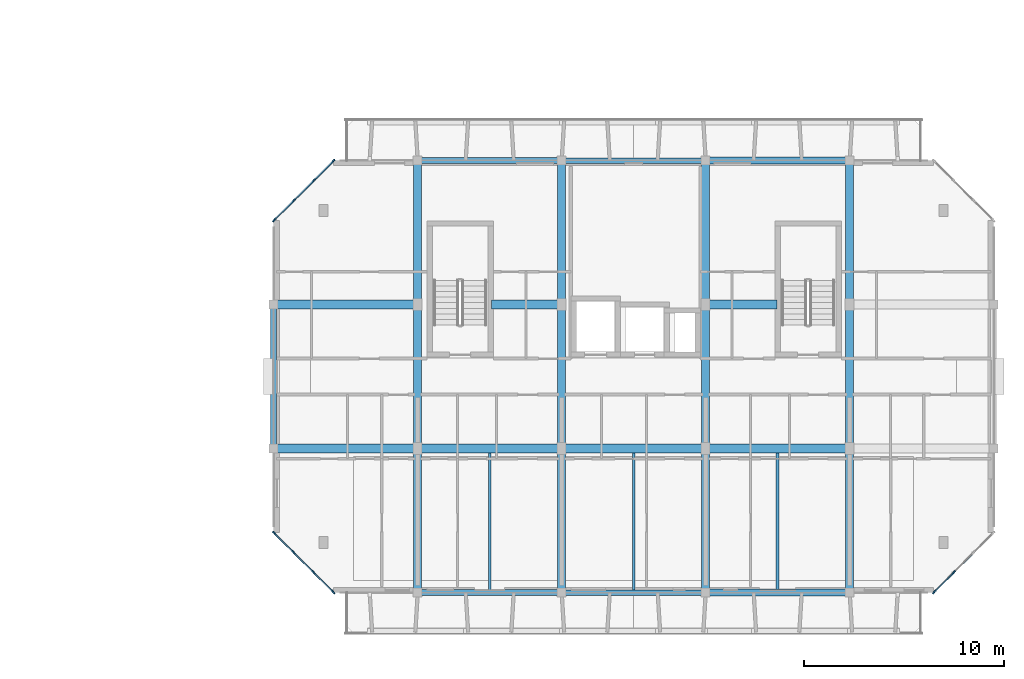
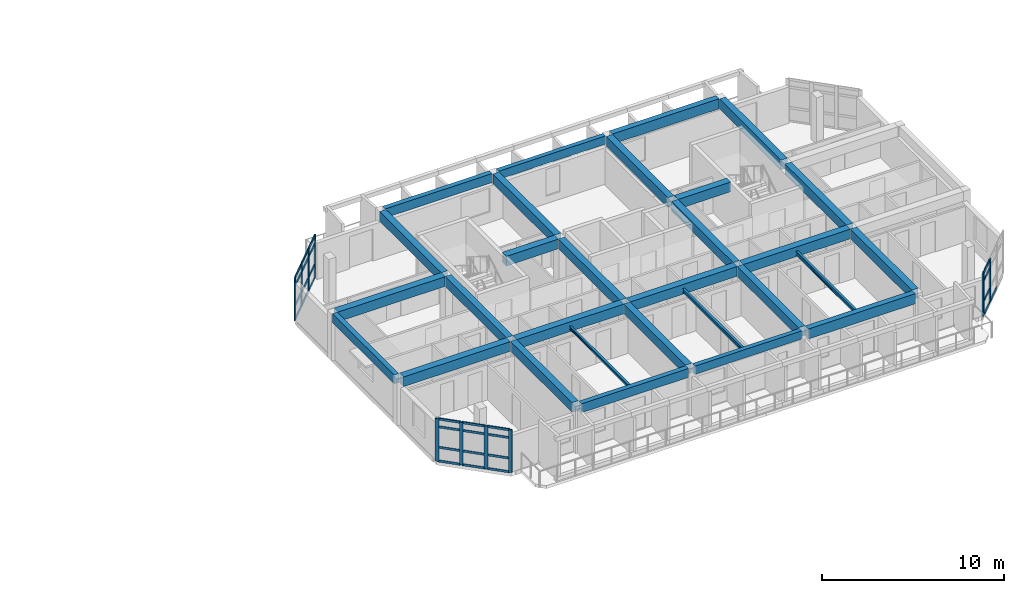
# One storey, part 5 of 30: 39 members, 29 beams, 3 elements without a shape of their own.
"""IFC4 building model written with IfcOpenShell, lengths in metres."""

from ifc_helpers import new_model, si_unit, direction, frame, origin, origin_2d, place, context, subcontext, project, spatial, rectangle, i_section, extrude, material, layer, layer_set, material_profile, profile_set, type_object, element, aggregate, save


model = new_model("IFC4")

# Units and contexts
model_context = context("Model", 3, precision=1e-05, world=origin(), true_north=direction((0.0, 1.0)))
body_context = subcontext(model_context, "Body", "Model", "MODEL_VIEW")
ifc_project = project(units=[si_unit("LENGTHUNIT", "METRE"), si_unit("AREAUNIT", "SQUARE_METRE"), si_unit("VOLUMEUNIT", "CUBIC_METRE"), si_unit("PLANEANGLEUNIT", "RADIAN"), si_unit("MASSUNIT", "GRAM", prefix="KILO")], contexts=[model_context])

# Site, building, storey
site_placement = place(None, origin())
site = spatial("IfcSite", under=ifc_project, at=site_placement, CompositionType="ELEMENT")
building_placement = place(site_placement, origin())
building = spatial("IfcBuilding", under=site, at=building_placement, Name="Ochrevale Crest", CompositionType="ELEMENT")
storey_placement = place(building_placement, frame((0.0, 0.0, 33.89990234375)))
storey = spatial("IfcBuildingStorey", under=building, at=storey_placement, Name="L10", CompositionType="ELEMENT", Elevation=33.89990234375)

# Beams
ifc_material_1 = material(Name="Precast concrete C50/60", Category="concrete")
ifc_material_profile_1 = material_profile(ifc_material_1, rectangle(XDim=0.39990234375, YDim=0.64990234375, at=origin_2d()), Name="PC 400x650")
ifc_profile_set_1 = profile_set([ifc_material_profile_1], Name="Precast concrete C50/60")
beam_type_1 = type_object("IfcBeamType", Name="BM-PC400x650", PredefinedType="BEAM", material=ifc_profile_set_1)
for number, where, z_axis, x_axis, name in (
    (1, (136.800048828125, 14.60498046875, 2.8251953125), (0.0, 1.0, 0.0), (-1.0, 0.0, 0.0), "Block C L10 N-S beam X=136.8"),
    (2, (136.800048828125, 21.804931640625, 2.8251953125), (0.0, 1.0, 0.0), (-1.0, 0.0, 0.0), "Block C L10 N-S beam X=136.8"),
    (3, (136.800048828125, 29.0048828125, 2.8251953125), (0.0, 1.0, 0.0), (-1.0, 0.0, 0.0), "Block C L10 N-S beam X=136.8"),
    (4, (144.0, 14.60498046875, 2.8251953125), (0.0, 1.0, 0.0), (-1.0, 0.0, 0.0), "Block C L10 N-S beam X=144.0"),
    (5, (144.0, 21.804931640625, 2.8251953125), (0.0, 1.0, 0.0), (-1.0, 0.0, 0.0), "Block C L10 N-S beam X=144.0"),
    (6, (144.0, 29.0048828125, 2.8251953125), (0.0, 1.0, 0.0), (-1.0, 0.0, 0.0), "Block C L10 N-S beam X=144.0"),
    (7, (151.199951171875, 14.60498046875, 2.8251953125), (0.0, 1.0, 0.0), (-1.0, 0.0, 0.0), "Block C L10 N-S beam X=151.2"),
    (8, (151.199951171875, 21.804931640625, 2.8251953125), (0.0, 1.0, 0.0), (-1.0, 0.0, 0.0), "Block C L10 N-S beam X=151.2"),
    (9, (151.199951171875, 29.0048828125, 2.8251953125), (0.0, 1.0, 0.0), (-1.0, 0.0, 0.0), "Block C L10 N-S beam X=151.2"),
    (10, (158.39990234375, 14.60498046875, 2.8251953125), (0.0, 1.0, 0.0), (-1.0, 0.0, 0.0), "Block C L10 N-S beam X=158.4"),
    (11, (158.39990234375, 21.804931640625, 2.8251953125), (0.0, 1.0, 0.0), (-1.0, 0.0, 0.0), "Block C L10 N-S beam X=158.4"),
    (12, (158.39990234375, 29.0048828125, 2.8251953125), (0.0, 1.0, 0.0), (-1.0, 0.0, 0.0), "Block C L10 N-S beam X=158.4"),
):
    element("IfcBeam", number, at=place(storey_placement, frame(where, z_axis=z_axis, x_axis=x_axis)), inside=storey, type_object=beam_type_1, Name=name, PredefinedType="BEAM", context=body_context, shape_type="SweptSolid", body=[
        extrude(rectangle(XDim=0.39990234375, YDim=0.64990234375, at=origin_2d()), origin(), (0.0, 0.0, 1.0), 6.7900390625),
    ])
ifc_material_2 = material(Name="Concrete C50/60", Category="concrete")
ifc_material_profile_2 = material_profile(ifc_material_2, rectangle(XDim=0.449951171875, YDim=0.64990234375, at=origin_2d()), Name="RC 450x650")
ifc_profile_set_2 = profile_set([ifc_material_profile_2], Name="Concrete C50/60")
beam_type_2 = type_object("IfcBeamType", Name="BM-PG450x650", PredefinedType="USERDEFINED", material=ifc_profile_set_2)
for number, where, z_axis, x_axis, name in (
    (13, (129.800048828125, 21.60009765625, 2.8251953125), (1.0, 0.0, 0.0), (0.0, 1.0, 0.0), "Block C L10 E-W beam Y=21.6"),
    (14, (137.0, 21.60009765625, 2.8251953125), (1.0, 0.0, 0.0), (0.0, 1.0, 0.0), "Block C L10 E-W beam Y=21.6"),
    (15, (144.199951171875, 21.60009765625, 2.8251953125), (1.0, 0.0, 0.0), (0.0, 1.0, 0.0), "Block C L10 E-W beam Y=21.6"),
    (16, (151.39990234375, 21.60009765625, 2.8251953125), (1.0, 0.0, 0.0), (0.0, 1.0, 0.0), "Block C L10 E-W beam Y=21.6"),
    (17, (129.800048828125, 28.800048828125, 2.8251953125), (1.0, 0.0, 0.0), (0.0, 1.0, 0.0), "Block C L10 E-W beam Y=28.8"),
):
    element("IfcBeam", number, at=place(storey_placement, frame(where, z_axis=z_axis, x_axis=x_axis)), inside=storey, type_object=beam_type_2, Name=name, ObjectType="GIRDER", PredefinedType="USERDEFINED", context=body_context, shape_type="SweptSolid", body=[
        extrude(rectangle(XDim=0.449951171875, YDim=0.64990234375, at=origin_2d()), origin(), (0.0, 0.0, 1.0), 6.800048828125),
    ])
beam_1_placement = place(storey_placement, frame((140.489990234375, 28.800048828125, 2.8251953125), z_axis=(1.0, 0.0, 0.0), x_axis=(0.0, 1.0, 0.0)))
element("IfcBeam", 18, at=beam_1_placement, inside=storey, type_object=beam_type_2, Name="Block C L10 E-W beam Y=28.8", ObjectType="GIRDER", PredefinedType="USERDEFINED", context=body_context, shape_type="SweptSolid", body=[
    extrude(rectangle(XDim=0.449951171875, YDim=0.64990234375, at=origin_2d()), origin(), (0.0, 0.0, 1.0), 3.31005859375),
])
beam_2_placement = place(storey_placement, frame((151.39990234375, 28.800048828125, 2.8251953125), z_axis=(1.0, 0.0, 0.0), x_axis=(0.0, 1.0, 0.0)))
element("IfcBeam", 19, at=beam_2_placement, inside=storey, type_object=beam_type_2, Name="Block C L10 E-W beam Y=28.8", ObjectType="GIRDER", PredefinedType="USERDEFINED", context=body_context, shape_type="SweptSolid", body=[
    extrude(rectangle(XDim=0.449951171875, YDim=0.64990234375, at=origin_2d()), origin(), (0.0, 0.0, 1.0), 3.360107421875),
])
ifc_material_3 = material(Name="Precast concrete C40/50", Category="concrete")
ifc_material_profile_3 = material_profile(ifc_material_3, rectangle(XDim=0.280029296875, YDim=0.550048828125, at=origin_2d()), Name="PC 280x550")
ifc_profile_set_3 = profile_set([ifc_material_profile_3], Name="Precast concrete C40/50")
beam_type_3 = type_object("IfcBeamType", Name="BM-SP280x550", PredefinedType="SPANDREL", material=ifc_profile_set_3)
for number, where, z_axis, x_axis, name in (
    (20, (144.199951171875, 14.39990234375, 2.875), (1.0, 0.0, 0.0), (0.0, 1.0, 0.0), "Block C L10 E-W beam Y=14.4"),
    (21, (144.199951171875, 36.0, 2.875), (1.0, 0.0, 0.0), (0.0, 1.0, 0.0), "Block C L10 E-W beam Y=36.0"),
):
    element("IfcBeam", number, at=place(storey_placement, frame(where, z_axis=z_axis, x_axis=x_axis)), inside=storey, type_object=beam_type_3, Name=name, PredefinedType="SPANDREL", context=body_context, shape_type="SweptSolid", body=[
        extrude(rectangle(XDim=0.280029296875, YDim=0.550048828125, at=origin_2d()), origin(), (0.0, 0.0, 1.0), 6.800048828125),
    ])
ifc_material_profile_4 = material_profile(ifc_material_3, rectangle(XDim=0.300048828125, YDim=0.60009765625, at=origin_2d()), Name="PC 300x600")
ifc_profile_set_4 = profile_set([ifc_material_profile_4], Name="Precast concrete C40/50")
beam_type_4 = type_object("IfcBeamType", Name="BM-SP300x600", PredefinedType="SPANDREL", material=ifc_profile_set_4)
for number, where, z_axis, x_axis, name in (
    (22, (137.0, 14.39990234375, 2.85009765625), (1.0, 0.0, 0.0), (0.0, 1.0, 0.0), "Block C L10 E-W beam Y=14.4"),
    (23, (137.0, 36.0, 2.85009765625), (1.0, 0.0, 0.0), (0.0, 1.0, 0.0), "Block C L10 E-W beam Y=36.0"),
):
    element("IfcBeam", number, at=place(storey_placement, frame(where, z_axis=z_axis, x_axis=x_axis)), inside=storey, type_object=beam_type_4, Name=name, PredefinedType="SPANDREL", context=body_context, shape_type="SweptSolid", body=[
        extrude(rectangle(XDim=0.300048828125, YDim=0.60009765625, at=origin_2d()), origin(), (0.0, 0.0, 1.0), 6.800048828125),
    ])
beam_3_placement = place(storey_placement, frame((129.60009765625, 21.804931640625, 2.85009765625), z_axis=(0.0, 1.0, 0.0), x_axis=(-1.0, 0.0, 0.0)))
element("IfcBeam", 24, at=beam_3_placement, inside=storey, type_object=beam_type_4, Name="Block C L10 N-S beam X=129.6", PredefinedType="SPANDREL", context=body_context, shape_type="SweptSolid", body=[
    extrude(rectangle(XDim=0.300048828125, YDim=0.60009765625, at=origin_2d()), origin(), (0.0, 0.0, 1.0), 6.7900390625),
])
ifc_material_profile_5 = material_profile(ifc_material_3, rectangle(XDim=0.35009765625, YDim=0.679931640625, at=origin_2d()), Name="PC 350x680")
ifc_profile_set_5 = profile_set([ifc_material_profile_5], Name="Precast concrete C40/50")
beam_type_5 = type_object("IfcBeamType", Name="BM-SP350x680", PredefinedType="SPANDREL", material=ifc_profile_set_5)
for number, where, z_axis, x_axis, name in (
    (25, (151.39990234375, 14.39990234375, 2.81005859375), (1.0, 0.0, 0.0), (0.0, 1.0, 0.0), "Block C L10 E-W beam Y=14.4"),
    (26, (151.39990234375, 36.0, 2.81005859375), (1.0, 0.0, 0.0), (0.0, 1.0, 0.0), "Block C L10 E-W beam Y=36.0"),
):
    element("IfcBeam", number, at=place(storey_placement, frame(where, z_axis=z_axis, x_axis=x_axis)), inside=storey, type_object=beam_type_5, Name=name, PredefinedType="SPANDREL", context=body_context, shape_type="SweptSolid", body=[
        extrude(rectangle(XDim=0.35009765625, YDim=0.679931640625, at=origin_2d()), origin(), (0.0, 0.0, 1.0), 6.800048828125),
    ])
ifc_material_4 = material(Name="Steel S355", Category="steel")
ifc_material_profile_6 = material_profile(ifc_material_4, i_section(OverallWidth=0.134033203125, OverallDepth=0.20703125, WebThickness=0.00634765625, FlangeThickness=0.009521484375, FilletRadius=0.0087890625, at=origin_2d()), Name="200UB29.8")
ifc_profile_set_6 = profile_set([ifc_material_profile_6], Name="Steel S355")
beam_type_6 = type_object("IfcBeamType", Name="BM-UB200B", PredefinedType="JOIST", material=ifc_profile_set_6)
beam_4_placement = place(storey_placement, frame((140.39990234375, 14.5380859375, 2.771484375), z_axis=(0.0, 1.0, 0.0), x_axis=(-1.0, 0.0, 0.0)))
element("IfcBeam", 27, at=beam_4_placement, inside=storey, type_object=beam_type_6, Name="Block C L10 composite plank trimmer beam 2", PredefinedType="JOIST", context=body_context, shape_type="SweptSolid", body=[
    extrude(i_section(OverallWidth=0.134033203125, OverallDepth=0.20703125, WebThickness=0.00634765625, FlangeThickness=0.009521484375, FilletRadius=0.0087890625, at=origin_2d()), origin(), (0.0, 0.0, 1.0), 6.848876953125),
])
ifc_material_profile_7 = material_profile(ifc_material_4, i_section(OverallWidth=0.14599609375, OverallDepth=0.251708984375, WebThickness=0.006103515625, FlangeThickness=0.008544921875, FilletRadius=0.0087890625, at=origin_2d()), Name="250UB31.4")
ifc_profile_set_7 = profile_set([ifc_material_profile_7], Name="Steel S355")
beam_type_7 = type_object("IfcBeamType", Name="BM-UB250A", PredefinedType="JOIST", material=ifc_profile_set_7)
beam_5_placement = place(storey_placement, frame((147.60009765625, 14.528076171875, 2.749267578125), z_axis=(0.0, 1.0, 0.0), x_axis=(-1.0, 0.0, 0.0)))
element("IfcBeam", 28, at=beam_5_placement, inside=storey, type_object=beam_type_7, Name="Block C L10 composite plank trimmer beam 3", PredefinedType="JOIST", context=body_context, shape_type="SweptSolid", body=[
    extrude(i_section(OverallWidth=0.14599609375, OverallDepth=0.251708984375, WebThickness=0.006103515625, FlangeThickness=0.008544921875, FilletRadius=0.0087890625, at=origin_2d()), origin(), (0.0, 0.0, 1.0), 6.85888671875),
])
ifc_material_profile_8 = material_profile(ifc_material_4, i_section(OverallWidth=0.146484375, OverallDepth=0.256103515625, WebThickness=0.00634765625, FlangeThickness=0.010986328125, FilletRadius=0.0087890625, at=origin_2d()), Name="250UB37.3")
ifc_profile_set_8 = profile_set([ifc_material_profile_8], Name="Steel S355")
beam_type_8 = type_object("IfcBeamType", Name="BM-UB250B", PredefinedType="JOIST", material=ifc_profile_set_8)
beam_6_placement = place(storey_placement, frame((154.800048828125, 14.56298828125, 2.7470703125), z_axis=(0.0, 1.0, 0.0), x_axis=(-1.0, 0.0, 0.0)))
element("IfcBeam", 29, at=beam_6_placement, inside=storey, type_object=beam_type_8, Name="Block C L10 composite plank trimmer beam 4", PredefinedType="JOIST", context=body_context, shape_type="SweptSolid", body=[
    extrude(i_section(OverallWidth=0.146484375, OverallDepth=0.256103515625, WebThickness=0.00634765625, FlangeThickness=0.010986328125, FilletRadius=0.0087890625, at=origin_2d()), origin(), (0.0, 0.0, 1.0), 6.823974609375),
])

# Curtain wall, members
ifc_material_5 = material(Name="Anodised aluminium 6063-T5", Category="aluminium")
ifc_layer_1 = layer(ifc_material_5, 0.14990234375)
ifc_layer_set_1 = layer_set([ifc_layer_1], Name="Anodised aluminium 6063-T5")
curtain_wall_type_1 = type_object("IfcCurtainWallType", Name="CW-WG-320x285", PredefinedType="NOTDEFINED", material=ifc_layer_set_1)
curtain_wall_1_placement = place(storey_placement, origin())
curtain_wall_1 = element("IfcCurtainWall", 30, at=curtain_wall_1_placement, inside=storey, type_object=curtain_wall_type_1, Name="Block C L10 chamfered corner wintergarden curtain wall 2", PredefinedType="NOTDEFINED")
ifc_material_profile_9 = material_profile(ifc_material_5, rectangle(XDim=0.074951171875, YDim=0.219970703125, at=origin_2d()), Name="ALU 75x220")
ifc_profile_set_9 = profile_set([ifc_material_profile_9], Name="Anodised aluminium 6063-T5")
member_type_1 = type_object("IfcMemberType", Name="CW-MUL-75x220", PredefinedType="MULLION", material=ifc_profile_set_9)
member_1_placement = place(storey_placement, frame((162.62646484375, 14.426513671875, 0.0), z_axis=(0.0, 0.0, 1.0), x_axis=(-0.707106781187, 0.707106781187, 0.0)))
member_1 = element("IfcMember", 31, at=member_1_placement, type_object=member_type_1, Name="CW17 mullion 1", PredefinedType="MULLION", context=body_context, shape_type="SweptSolid", body=[
    extrude(rectangle(XDim=0.074951171875, YDim=0.219970703125, at=origin_2d()), origin(), (0.0, 0.0, 1.0), 2.875),
])
member_2_placement = place(storey_placement, frame((163.60009765625, 15.39990234375, 0.0), z_axis=(0.0, 0.0, 1.0), x_axis=(-0.707106781187, 0.707106781187, 0.0)))
member_2 = element("IfcMember", 32, at=member_2_placement, type_object=member_type_1, Name="CW17 mullion 2", PredefinedType="MULLION", context=body_context, shape_type="SweptSolid", body=[
    extrude(rectangle(XDim=0.074951171875, YDim=0.219970703125, at=origin_2d()), origin(), (0.0, 0.0, 1.0), 2.875),
])

ifc_layer_2 = layer(ifc_material_5, 0.14990234375)
ifc_layer_set_2 = layer_set([ifc_layer_2], Name="Anodised aluminium 6063-T5")
curtain_wall_type_2 = type_object("IfcCurtainWallType", Name="CW-WG-280x285", PredefinedType="NOTDEFINED", material=ifc_layer_set_2)
curtain_wall_2_placement = place(storey_placement, origin())
curtain_wall_2 = element("IfcCurtainWall", 33, at=curtain_wall_2_placement, inside=storey, type_object=curtain_wall_type_2, Name="Block C L10 chamfered corner wintergarden curtain wall 6", PredefinedType="NOTDEFINED")
member_3_placement = place(storey_placement, frame((132.573486328125, 35.973388671875, 0.0), z_axis=(0.0, 0.0, 1.0), x_axis=(0.707106781187, -0.707106781187, 0.0)))
member_3 = element("IfcMember", 34, at=member_3_placement, type_object=member_type_1, Name="CW16 mullion 1", PredefinedType="MULLION", context=body_context, shape_type="SweptSolid", body=[
    extrude(rectangle(XDim=0.074951171875, YDim=0.219970703125, at=origin_2d()), origin(), (0.0, 0.0, 1.0), 2.875),
])
member_4_placement = place(storey_placement, frame((131.60009765625, 35.0, 0.0), z_axis=(0.0, 0.0, 1.0), x_axis=(0.707106781187, -0.707106781187, 0.0)))
member_4 = element("IfcMember", 35, at=member_4_placement, type_object=member_type_1, Name="CW16 mullion 2", PredefinedType="MULLION", context=body_context, shape_type="SweptSolid", body=[
    extrude(rectangle(XDim=0.074951171875, YDim=0.219970703125, at=origin_2d()), origin(), (0.0, 0.0, 1.0), 2.875),
])
member_5_placement = place(storey_placement, frame((130.60009765625, 34.0, 0.0), z_axis=(0.0, 0.0, 1.0), x_axis=(0.707106781187, -0.707106781187, 0.0)))
member_5 = element("IfcMember", 36, at=member_5_placement, type_object=member_type_1, Name="CW16 mullion 3", PredefinedType="MULLION", context=body_context, shape_type="SweptSolid", body=[
    extrude(rectangle(XDim=0.074951171875, YDim=0.219970703125, at=origin_2d()), origin(), (0.0, 0.0, 1.0), 2.875),
])
member_6_placement = place(storey_placement, frame((129.62646484375, 33.026611328125, 0.0), z_axis=(0.0, 0.0, 1.0), x_axis=(0.707106781187, -0.707106781187, 0.0)))
member_6 = element("IfcMember", 37, at=member_6_placement, type_object=member_type_1, Name="CW16 mullion 4", PredefinedType="MULLION", context=body_context, shape_type="SweptSolid", body=[
    extrude(rectangle(XDim=0.074951171875, YDim=0.219970703125, at=origin_2d()), origin(), (0.0, 0.0, 1.0), 2.875),
])

ifc_layer_3 = layer(ifc_material_5, 0.14990234375)
ifc_layer_set_3 = layer_set([ifc_layer_3], Name="Anodised aluminium 6063-T5")
curtain_wall_type_3 = type_object("IfcCurtainWallType", Name="CW-WG-360x285", PredefinedType="NOTDEFINED", material=ifc_layer_set_3)
curtain_wall_3_placement = place(storey_placement, origin())
curtain_wall_3 = element("IfcCurtainWall", 38, at=curtain_wall_3_placement, inside=storey, type_object=curtain_wall_type_3, Name="Block C L10 chamfered corner wintergarden curtain wall 8", PredefinedType="NOTDEFINED")
member_7_placement = place(storey_placement, frame((129.62646484375, 17.37353515625, 0.0), z_axis=(0.0, 0.0, 1.0), x_axis=(0.707106781187, 0.707106781187, 0.0)))
member_7 = element("IfcMember", 39, at=member_7_placement, type_object=member_type_1, Name="CW18 mullion 1", PredefinedType="MULLION", context=body_context, shape_type="SweptSolid", body=[
    extrude(rectangle(XDim=0.074951171875, YDim=0.219970703125, at=origin_2d()), origin(), (0.0, 0.0, 1.0), 2.875),
])
member_8_placement = place(storey_placement, frame((130.60009765625, 16.39990234375, 0.0), z_axis=(0.0, 0.0, 1.0), x_axis=(0.707106781187, 0.707106781187, 0.0)))
member_8 = element("IfcMember", 40, at=member_8_placement, type_object=member_type_1, Name="CW18 mullion 2", PredefinedType="MULLION", context=body_context, shape_type="SweptSolid", body=[
    extrude(rectangle(XDim=0.074951171875, YDim=0.219970703125, at=origin_2d()), origin(), (0.0, 0.0, 1.0), 2.875),
])
member_9_placement = place(storey_placement, frame((131.60009765625, 15.39990234375, 0.0), z_axis=(0.0, 0.0, 1.0), x_axis=(0.707106781187, 0.707106781187, 0.0)))
member_9 = element("IfcMember", 41, at=member_9_placement, type_object=member_type_1, Name="CW18 mullion 3", PredefinedType="MULLION", context=body_context, shape_type="SweptSolid", body=[
    extrude(rectangle(XDim=0.074951171875, YDim=0.219970703125, at=origin_2d()), origin(), (0.0, 0.0, 1.0), 2.875),
])
member_10_placement = place(storey_placement, frame((132.573486328125, 14.426513671875, 0.0), z_axis=(0.0, 0.0, 1.0), x_axis=(0.707106781187, 0.707106781187, 0.0)))
member_10 = element("IfcMember", 42, at=member_10_placement, type_object=member_type_1, Name="CW18 mullion 4", PredefinedType="MULLION", context=body_context, shape_type="SweptSolid", body=[
    extrude(rectangle(XDim=0.074951171875, YDim=0.219970703125, at=origin_2d()), origin(), (0.0, 0.0, 1.0), 2.875),
])

# Member
ifc_material_profile_10 = material_profile(ifc_material_5, rectangle(XDim=0.06005859375, YDim=0.14990234375, at=origin_2d()), Name="ALU 60x150")
ifc_profile_set_10 = profile_set([ifc_material_profile_10], Name="Anodised aluminium 6063-T5")
member_type_2 = type_object("IfcMemberType", Name="CW-TRN-60x150", PredefinedType="USERDEFINED", material=ifc_profile_set_10)
member_11_placement = place(storey_placement, frame((162.653076171875, 14.453125, 0.030029296875), z_axis=(0.707106781187, 0.707106781187, 0.0), x_axis=(-0.707106781187, 0.707106781187, 0.0)))
member_11 = element("IfcMember", 43, at=member_11_placement, type_object=member_type_2, Name="CW17 transom 1.1", ObjectType="TRANSOM", PredefinedType="USERDEFINED", context=body_context, shape_type="SweptSolid", body=[
    extrude(rectangle(XDim=0.06005859375, YDim=0.14990234375, at=origin_2d()), origin(), (0.0, 0.0, 1.0), 1.3017578125),
])

member_12_placement = place(storey_placement, frame((162.653076171875, 14.453125, 0.9501953125), z_axis=(0.707106781187, 0.707106781187, 0.0), x_axis=(-0.707106781187, 0.707106781187, 0.0)))
member_12 = element("IfcMember", 44, at=member_12_placement, type_object=member_type_2, Name="CW17 transom 1.2", ObjectType="TRANSOM", PredefinedType="USERDEFINED", context=body_context, shape_type="SweptSolid", body=[
    extrude(rectangle(XDim=0.06005859375, YDim=0.14990234375, at=origin_2d()), origin(), (0.0, 0.0, 1.0), 1.3017578125),
])

member_13_placement = place(storey_placement, frame((162.653076171875, 14.453125, 2.3251953125), z_axis=(0.707106781187, 0.707106781187, 0.0), x_axis=(-0.707106781187, 0.707106781187, 0.0)))
member_13 = element("IfcMember", 45, at=member_13_placement, type_object=member_type_2, Name="CW17 transom 1.3", ObjectType="TRANSOM", PredefinedType="USERDEFINED", context=body_context, shape_type="SweptSolid", body=[
    extrude(rectangle(XDim=0.06005859375, YDim=0.14990234375, at=origin_2d()), origin(), (0.0, 0.0, 1.0), 1.3017578125),
])

member_14_placement = place(storey_placement, frame((162.653076171875, 14.453125, 2.84521484375), z_axis=(0.707106781187, 0.707106781187, 0.0), x_axis=(-0.707106781187, 0.707106781187, 0.0)))
member_14 = element("IfcMember", 46, at=member_14_placement, type_object=member_type_2, Name="CW17 transom 1.4", ObjectType="TRANSOM", PredefinedType="USERDEFINED", context=body_context, shape_type="SweptSolid", body=[
    extrude(rectangle(XDim=0.06005859375, YDim=0.14990234375, at=origin_2d()), origin(), (0.0, 0.0, 1.0), 1.3017578125),
])

member_15_placement = place(storey_placement, frame((163.62646484375, 15.426513671875, 0.030029296875), z_axis=(0.707106781187, 0.707106781187, 0.0), x_axis=(-0.707106781187, 0.707106781187, 0.0)))
member_15 = element("IfcMember", 47, at=member_15_placement, type_object=member_type_2, Name="CW17 transom 2.1", ObjectType="TRANSOM", PredefinedType="USERDEFINED", context=body_context, shape_type="SweptSolid", body=[
    extrude(rectangle(XDim=0.06005859375, YDim=0.14990234375, at=origin_2d()), origin(), (0.0, 0.0, 1.0), 1.33935546875),
])

aggregate(curtain_wall_1, [member_1, member_2, member_11, member_12, member_13, member_14, member_15])

member_16_placement = place(storey_placement, frame((132.546875, 35.947021484375, 0.030029296875), z_axis=(-0.707106781187, -0.707106781187, 0.0), x_axis=(0.707106781187, -0.707106781187, 0.0)))
member_16 = element("IfcMember", 48, at=member_16_placement, type_object=member_type_2, Name="CW16 transom 1.1", ObjectType="TRANSOM", PredefinedType="USERDEFINED", context=body_context, shape_type="SweptSolid", body=[
    extrude(rectangle(XDim=0.06005859375, YDim=0.14990234375, at=origin_2d()), origin(), (0.0, 0.0, 1.0), 1.3017578125),
])

member_17_placement = place(storey_placement, frame((132.546875, 35.947021484375, 0.9501953125), z_axis=(-0.707106781187, -0.707106781187, 0.0), x_axis=(0.707106781187, -0.707106781187, 0.0)))
member_17 = element("IfcMember", 49, at=member_17_placement, type_object=member_type_2, Name="CW16 transom 1.2", ObjectType="TRANSOM", PredefinedType="USERDEFINED", context=body_context, shape_type="SweptSolid", body=[
    extrude(rectangle(XDim=0.06005859375, YDim=0.14990234375, at=origin_2d()), origin(), (0.0, 0.0, 1.0), 1.3017578125),
])

member_18_placement = place(storey_placement, frame((132.546875, 35.947021484375, 2.3251953125), z_axis=(-0.707106781187, -0.707106781187, 0.0), x_axis=(0.707106781187, -0.707106781187, 0.0)))
member_18 = element("IfcMember", 50, at=member_18_placement, type_object=member_type_2, Name="CW16 transom 1.3", ObjectType="TRANSOM", PredefinedType="USERDEFINED", context=body_context, shape_type="SweptSolid", body=[
    extrude(rectangle(XDim=0.06005859375, YDim=0.14990234375, at=origin_2d()), origin(), (0.0, 0.0, 1.0), 1.3017578125),
])

member_19_placement = place(storey_placement, frame((132.546875, 35.947021484375, 2.84521484375), z_axis=(-0.707106781187, -0.707106781187, 0.0), x_axis=(0.707106781187, -0.707106781187, 0.0)))
member_19 = element("IfcMember", 51, at=member_19_placement, type_object=member_type_2, Name="CW16 transom 1.4", ObjectType="TRANSOM", PredefinedType="USERDEFINED", context=body_context, shape_type="SweptSolid", body=[
    extrude(rectangle(XDim=0.06005859375, YDim=0.14990234375, at=origin_2d()), origin(), (0.0, 0.0, 1.0), 1.3017578125),
])

member_20_placement = place(storey_placement, frame((131.573486328125, 34.973388671875, 0.030029296875), z_axis=(-0.707197932559, -0.707015618062, 0.0), x_axis=(0.707015618062, -0.707197932559, 0.0)))
member_20 = element("IfcMember", 52, at=member_20_placement, type_object=member_type_2, Name="CW16 transom 2.1", ObjectType="TRANSOM", PredefinedType="USERDEFINED", context=body_context, shape_type="SweptSolid", body=[
    extrude(rectangle(XDim=0.06005859375, YDim=0.14990234375, at=origin_2d()), origin(), (0.0, 0.0, 1.0), 1.339111328125),
])

member_21_placement = place(storey_placement, frame((131.573486328125, 34.973388671875, 0.9501953125), z_axis=(-0.707197932559, -0.707015618062, 0.0), x_axis=(0.707015618062, -0.707197932559, 0.0)))
member_21 = element("IfcMember", 53, at=member_21_placement, type_object=member_type_2, Name="CW16 transom 2.2", ObjectType="TRANSOM", PredefinedType="USERDEFINED", context=body_context, shape_type="SweptSolid", body=[
    extrude(rectangle(XDim=0.06005859375, YDim=0.14990234375, at=origin_2d()), origin(), (0.0, 0.0, 1.0), 1.339111328125),
])

member_22_placement = place(storey_placement, frame((131.573486328125, 34.973388671875, 2.3251953125), z_axis=(-0.707197932559, -0.707015618062, 0.0), x_axis=(0.707015618062, -0.707197932559, 0.0)))
member_22 = element("IfcMember", 54, at=member_22_placement, type_object=member_type_2, Name="CW16 transom 2.3", ObjectType="TRANSOM", PredefinedType="USERDEFINED", context=body_context, shape_type="SweptSolid", body=[
    extrude(rectangle(XDim=0.06005859375, YDim=0.14990234375, at=origin_2d()), origin(), (0.0, 0.0, 1.0), 1.339111328125),
])

member_23_placement = place(storey_placement, frame((131.573486328125, 34.973388671875, 2.84521484375), z_axis=(-0.707197932559, -0.707015618062, 0.0), x_axis=(0.707015618062, -0.707197932559, 0.0)))
member_23 = element("IfcMember", 55, at=member_23_placement, type_object=member_type_2, Name="CW16 transom 2.4", ObjectType="TRANSOM", PredefinedType="USERDEFINED", context=body_context, shape_type="SweptSolid", body=[
    extrude(rectangle(XDim=0.06005859375, YDim=0.14990234375, at=origin_2d()), origin(), (0.0, 0.0, 1.0), 1.339111328125),
])

member_24_placement = place(storey_placement, frame((130.573486328125, 33.973388671875, 0.030029296875), z_axis=(-0.707106781187, -0.707106781187, 0.0), x_axis=(0.707106781187, -0.707106781187, 0.0)))
member_24 = element("IfcMember", 56, at=member_24_placement, type_object=member_type_2, Name="CW16 transom 3.1", ObjectType="TRANSOM", PredefinedType="USERDEFINED", context=body_context, shape_type="SweptSolid", body=[
    extrude(rectangle(XDim=0.06005859375, YDim=0.14990234375, at=origin_2d()), origin(), (0.0, 0.0, 1.0), 1.3017578125),
])

member_25_placement = place(storey_placement, frame((130.573486328125, 33.973388671875, 0.9501953125), z_axis=(-0.707106781187, -0.707106781187, 0.0), x_axis=(0.707106781187, -0.707106781187, 0.0)))
member_25 = element("IfcMember", 57, at=member_25_placement, type_object=member_type_2, Name="CW16 transom 3.2", ObjectType="TRANSOM", PredefinedType="USERDEFINED", context=body_context, shape_type="SweptSolid", body=[
    extrude(rectangle(XDim=0.06005859375, YDim=0.14990234375, at=origin_2d()), origin(), (0.0, 0.0, 1.0), 1.3017578125),
])

member_26_placement = place(storey_placement, frame((130.573486328125, 33.973388671875, 2.3251953125), z_axis=(-0.707106781187, -0.707106781187, 0.0), x_axis=(0.707106781187, -0.707106781187, 0.0)))
member_26 = element("IfcMember", 58, at=member_26_placement, type_object=member_type_2, Name="CW16 transom 3.3", ObjectType="TRANSOM", PredefinedType="USERDEFINED", context=body_context, shape_type="SweptSolid", body=[
    extrude(rectangle(XDim=0.06005859375, YDim=0.14990234375, at=origin_2d()), origin(), (0.0, 0.0, 1.0), 1.3017578125),
])

member_27_placement = place(storey_placement, frame((130.573486328125, 33.973388671875, 2.84521484375), z_axis=(-0.707106781187, -0.707106781187, 0.0), x_axis=(0.707106781187, -0.707106781187, 0.0)))
member_27 = element("IfcMember", 59, at=member_27_placement, type_object=member_type_2, Name="CW16 transom 3.4", ObjectType="TRANSOM", PredefinedType="USERDEFINED", context=body_context, shape_type="SweptSolid", body=[
    extrude(rectangle(XDim=0.06005859375, YDim=0.14990234375, at=origin_2d()), origin(), (0.0, 0.0, 1.0), 1.3017578125),
])

aggregate(curtain_wall_2, [member_3, member_4, member_5, member_6, member_16, member_17, member_18, member_19, member_20, member_21, member_22, member_23, member_24, member_25, member_26, member_27])

member_28_placement = place(storey_placement, frame((129.653076171875, 17.346923828125, 0.030029296875), z_axis=(0.707106781187, -0.707106781187, 0.0), x_axis=(0.707106781187, 0.707106781187, 0.0)))
member_28 = element("IfcMember", 60, at=member_28_placement, type_object=member_type_2, Name="CW18 transom 1.1", ObjectType="TRANSOM", PredefinedType="USERDEFINED", context=body_context, shape_type="SweptSolid", body=[
    extrude(rectangle(XDim=0.06005859375, YDim=0.14990234375, at=origin_2d()), origin(), (0.0, 0.0, 1.0), 1.3017578125),
])

member_29_placement = place(storey_placement, frame((129.653076171875, 17.346923828125, 0.9501953125), z_axis=(0.707106781187, -0.707106781187, 0.0), x_axis=(0.707106781187, 0.707106781187, 0.0)))
member_29 = element("IfcMember", 61, at=member_29_placement, type_object=member_type_2, Name="CW18 transom 1.2", ObjectType="TRANSOM", PredefinedType="USERDEFINED", context=body_context, shape_type="SweptSolid", body=[
    extrude(rectangle(XDim=0.06005859375, YDim=0.14990234375, at=origin_2d()), origin(), (0.0, 0.0, 1.0), 1.3017578125),
])

member_30_placement = place(storey_placement, frame((129.653076171875, 17.346923828125, 2.3251953125), z_axis=(0.707106781187, -0.707106781187, 0.0), x_axis=(0.707106781187, 0.707106781187, 0.0)))
member_30 = element("IfcMember", 62, at=member_30_placement, type_object=member_type_2, Name="CW18 transom 1.3", ObjectType="TRANSOM", PredefinedType="USERDEFINED", context=body_context, shape_type="SweptSolid", body=[
    extrude(rectangle(XDim=0.06005859375, YDim=0.14990234375, at=origin_2d()), origin(), (0.0, 0.0, 1.0), 1.3017578125),
])

member_31_placement = place(storey_placement, frame((129.653076171875, 17.346923828125, 2.84521484375), z_axis=(0.707106781187, -0.707106781187, 0.0), x_axis=(0.707106781187, 0.707106781187, 0.0)))
member_31 = element("IfcMember", 63, at=member_31_placement, type_object=member_type_2, Name="CW18 transom 1.4", ObjectType="TRANSOM", PredefinedType="USERDEFINED", context=body_context, shape_type="SweptSolid", body=[
    extrude(rectangle(XDim=0.06005859375, YDim=0.14990234375, at=origin_2d()), origin(), (0.0, 0.0, 1.0), 1.3017578125),
])

member_32_placement = place(storey_placement, frame((130.62646484375, 16.37353515625, 0.030029296875), z_axis=(0.707106781187, -0.707106781187, 0.0), x_axis=(0.707106781187, 0.707106781187, 0.0)))
member_32 = element("IfcMember", 64, at=member_32_placement, type_object=member_type_2, Name="CW18 transom 2.1", ObjectType="TRANSOM", PredefinedType="USERDEFINED", context=body_context, shape_type="SweptSolid", body=[
    extrude(rectangle(XDim=0.06005859375, YDim=0.14990234375, at=origin_2d()), origin(), (0.0, 0.0, 1.0), 1.33935546875),
])

member_33_placement = place(storey_placement, frame((130.62646484375, 16.37353515625, 0.9501953125), z_axis=(0.707106781187, -0.707106781187, 0.0), x_axis=(0.707106781187, 0.707106781187, 0.0)))
member_33 = element("IfcMember", 65, at=member_33_placement, type_object=member_type_2, Name="CW18 transom 2.2", ObjectType="TRANSOM", PredefinedType="USERDEFINED", context=body_context, shape_type="SweptSolid", body=[
    extrude(rectangle(XDim=0.06005859375, YDim=0.14990234375, at=origin_2d()), origin(), (0.0, 0.0, 1.0), 1.33935546875),
])

member_34_placement = place(storey_placement, frame((130.62646484375, 16.37353515625, 2.3251953125), z_axis=(0.707106781187, -0.707106781187, 0.0), x_axis=(0.707106781187, 0.707106781187, 0.0)))
member_34 = element("IfcMember", 66, at=member_34_placement, type_object=member_type_2, Name="CW18 transom 2.3", ObjectType="TRANSOM", PredefinedType="USERDEFINED", context=body_context, shape_type="SweptSolid", body=[
    extrude(rectangle(XDim=0.06005859375, YDim=0.14990234375, at=origin_2d()), origin(), (0.0, 0.0, 1.0), 1.33935546875),
])

member_35_placement = place(storey_placement, frame((130.62646484375, 16.37353515625, 2.84521484375), z_axis=(0.707106781187, -0.707106781187, 0.0), x_axis=(0.707106781187, 0.707106781187, 0.0)))
member_35 = element("IfcMember", 67, at=member_35_placement, type_object=member_type_2, Name="CW18 transom 2.4", ObjectType="TRANSOM", PredefinedType="USERDEFINED", context=body_context, shape_type="SweptSolid", body=[
    extrude(rectangle(XDim=0.06005859375, YDim=0.14990234375, at=origin_2d()), origin(), (0.0, 0.0, 1.0), 1.33935546875),
])

member_36_placement = place(storey_placement, frame((131.62646484375, 15.37353515625, 0.030029296875), z_axis=(0.707106781187, -0.707106781187, 0.0), x_axis=(0.707106781187, 0.707106781187, 0.0)))
member_36 = element("IfcMember", 68, at=member_36_placement, type_object=member_type_2, Name="CW18 transom 3.1", ObjectType="TRANSOM", PredefinedType="USERDEFINED", context=body_context, shape_type="SweptSolid", body=[
    extrude(rectangle(XDim=0.06005859375, YDim=0.14990234375, at=origin_2d()), origin(), (0.0, 0.0, 1.0), 1.3017578125),
])

member_37_placement = place(storey_placement, frame((131.62646484375, 15.37353515625, 0.9501953125), z_axis=(0.707106781187, -0.707106781187, 0.0), x_axis=(0.707106781187, 0.707106781187, 0.0)))
member_37 = element("IfcMember", 69, at=member_37_placement, type_object=member_type_2, Name="CW18 transom 3.2", ObjectType="TRANSOM", PredefinedType="USERDEFINED", context=body_context, shape_type="SweptSolid", body=[
    extrude(rectangle(XDim=0.06005859375, YDim=0.14990234375, at=origin_2d()), origin(), (0.0, 0.0, 1.0), 1.3017578125),
])

member_38_placement = place(storey_placement, frame((131.62646484375, 15.37353515625, 2.3251953125), z_axis=(0.707106781187, -0.707106781187, 0.0), x_axis=(0.707106781187, 0.707106781187, 0.0)))
member_38 = element("IfcMember", 70, at=member_38_placement, type_object=member_type_2, Name="CW18 transom 3.3", ObjectType="TRANSOM", PredefinedType="USERDEFINED", context=body_context, shape_type="SweptSolid", body=[
    extrude(rectangle(XDim=0.06005859375, YDim=0.14990234375, at=origin_2d()), origin(), (0.0, 0.0, 1.0), 1.3017578125),
])

member_39_placement = place(storey_placement, frame((131.62646484375, 15.37353515625, 2.84521484375), z_axis=(0.707106781187, -0.707106781187, 0.0), x_axis=(0.707106781187, 0.707106781187, 0.0)))
member_39 = element("IfcMember", 71, at=member_39_placement, type_object=member_type_2, Name="CW18 transom 3.4", ObjectType="TRANSOM", PredefinedType="USERDEFINED", context=body_context, shape_type="SweptSolid", body=[
    extrude(rectangle(XDim=0.06005859375, YDim=0.14990234375, at=origin_2d()), origin(), (0.0, 0.0, 1.0), 1.3017578125),
])

aggregate(curtain_wall_3, [member_7, member_8, member_9, member_10, member_28, member_29, member_30, member_31, member_32, member_33, member_34, member_35, member_36, member_37, member_38, member_39])

save(model, "model.ifc")
